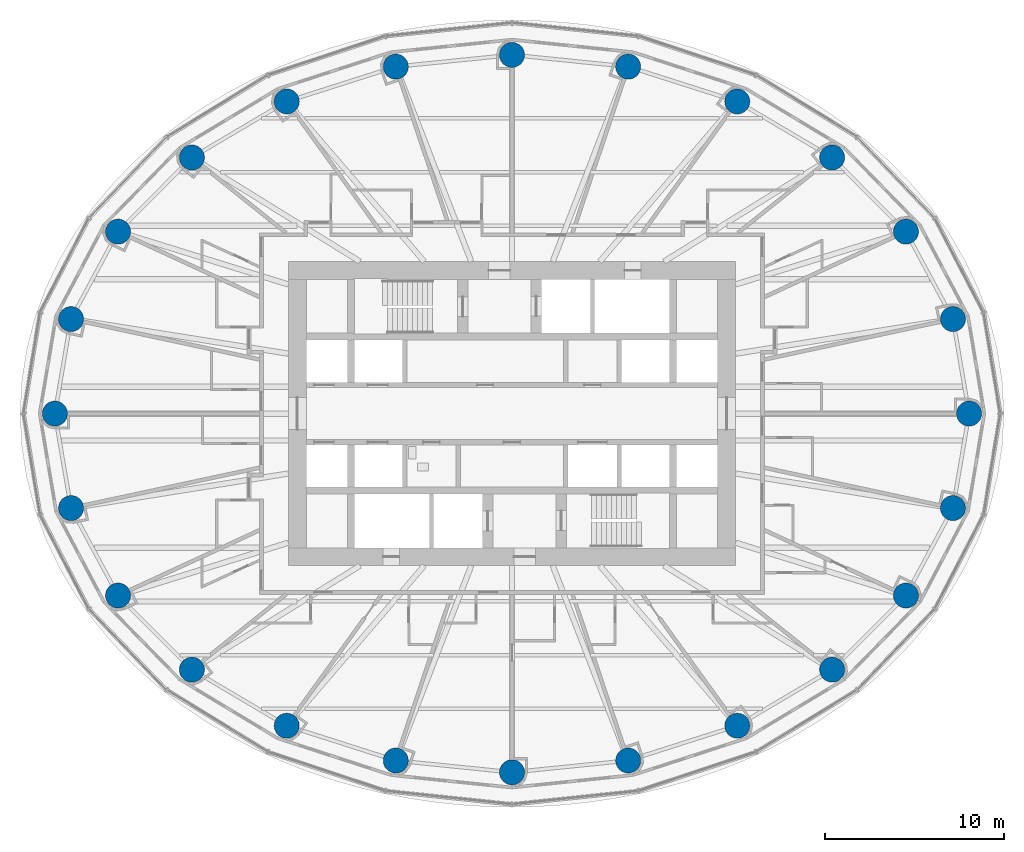
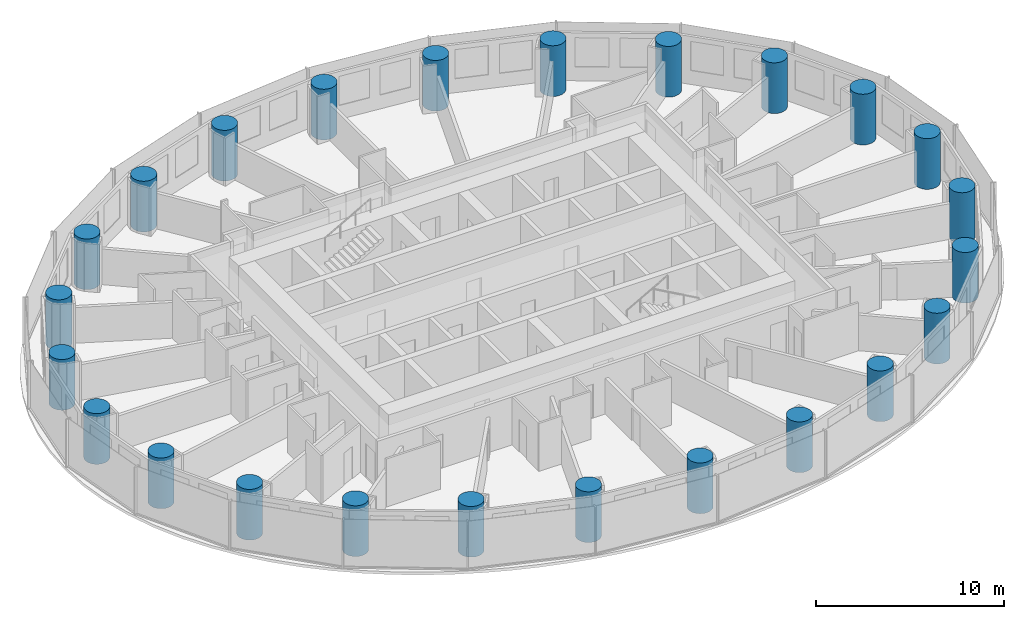
# One storey, part 1 of 16: 24 columns.
"""IFC4 building model written with IfcOpenShell, lengths in metres."""

from ifc_helpers import new_model, si_unit, direction, frame, origin, origin_2d, place, context, subcontext, project, spatial, circle, extrude, material, material_profile, profile_set, type_object, element, save


model = new_model("IFC4")

# Units and contexts
model_context = context("Model", 3, precision=1e-05, world=origin(), true_north=direction((0.0, 1.0)))
body_context = subcontext(model_context, "Body", "Model", "MODEL_VIEW")
ifc_project = project(units=[si_unit("LENGTHUNIT", "METRE"), si_unit("AREAUNIT", "SQUARE_METRE"), si_unit("VOLUMEUNIT", "CUBIC_METRE"), si_unit("PLANEANGLEUNIT", "RADIAN"), si_unit("MASSUNIT", "GRAM", prefix="KILO")], contexts=[model_context])

# Site, building, storey
site_placement = place(None, origin())
site = spatial("IfcSite", under=ifc_project, at=site_placement, CompositionType="ELEMENT")
building_placement = place(site_placement, origin())
building = spatial("IfcBuilding", under=site, at=building_placement, Name="Hankou Lantern Tower", CompositionType="ELEMENT")
storey_placement = place(building_placement, frame((0.0, 0.0, 73.800048828125)))
storey = spatial("IfcBuildingStorey", under=building, at=storey_placement, Name="L18", CompositionType="ELEMENT", Elevation=73.800048828125)

# Columns
ifc_material = material(Name="Concrete C60", Category="concrete")
ifc_material_profile = material_profile(ifc_material, circle(Radius=0.699951171875, at=origin_2d()), Name="RC D1400")
ifc_profile_set = profile_set([ifc_material_profile], Name="Concrete C60")
column_type = type_object("IfcColumnType", Name="TC2 PERIMETER COLUMN RC D1400", PredefinedType="COLUMN", material=ifc_profile_set)
for number, where, z_axis, x_axis, name in (
    (1, (25.550048828125, 0.0, 0.0), (0.0, 0.0, 1.0), (1.0, 0.0, 0.0), "Column R01 L18"),
    (2, (24.64697265625, 5.283203125, 0.0), (0.0, 0.0, 1.0), (1.0, 0.0, 0.0), "Column R02 L18"),
    (3, (22.01904296875, 10.170166015625, 0.0), (0.0, 0.0, 1.0), (1.0, 0.0, 0.0), "Column R03 L18"),
    (4, (17.891845703125, 14.3134765625, 0.0), (0.0, 0.0, 1.0), (1.0, 0.0, 0.0), "Column R04 L18"),
    (5, (12.5908203125, 17.446533203125, 0.0), (0.0, 0.0, 1.0), (1.0, 0.0, 0.0), "Column R05 L18"),
    (6, (6.494873046875, 19.391357421875, 0.0), (0.0, 0.0, 1.0), (1.0, 0.0, 0.0), "Column R06 L18"),
    (7, (0.0, 20.050048828125, 0.0), (0.0, 0.0, 1.0), (1.0, 0.0, 0.0), "Column R07 L18"),
    (8, (-6.494873046875, 19.391357421875, 0.0), (0.0, 0.0, 1.0), (1.0, 0.0, 0.0), "Column R08 L18"),
    (9, (-12.5908203125, 17.446533203125, 0.0), (0.0, 0.0, 1.0), (1.0, 0.0, 0.0), "Column R09 L18"),
    (10, (-17.891845703125, 14.3134765625, 0.0), (0.0, 0.0, 1.0), (1.0, 0.0, 0.0), "Column R10 L18"),
    (11, (-22.01904296875, 10.170166015625, 0.0), (0.0, 0.0, 1.0), (1.0, 0.0, 0.0), "Column R11 L18"),
    (12, (-24.64697265625, 5.283203125, 0.0), (0.0, 0.0, 1.0), (1.0, 0.0, 0.0), "Column R12 L18"),
    (13, (-25.550048828125, 0.0, 0.0), (0.0, 0.0, 1.0), (1.0, 0.0, 0.0), "Column R13 L18"),
    (14, (-24.64697265625, -5.283203125, 0.0), (0.0, 0.0, 1.0), (1.0, 0.0, 0.0), "Column R14 L18"),
    (15, (-22.01904296875, -10.170166015625, 0.0), (0.0, 0.0, 1.0), (1.0, 0.0, 0.0), "Column R15 L18"),
    (16, (-17.891845703125, -14.3134765625, 0.0), (0.0, 0.0, 1.0), (1.0, 0.0, 0.0), "Column R16 L18"),
    (17, (-12.5908203125, -17.446533203125, 0.0), (0.0, 0.0, 1.0), (1.0, 0.0, 0.0), "Column R17 L18"),
    (18, (-6.494873046875, -19.391357421875, 0.0), (0.0, 0.0, 1.0), (1.0, 0.0, 0.0), "Column R18 L18"),
    (19, (0.0, -20.050048828125, 0.0), (0.0, 0.0, 1.0), (1.0, 0.0, 0.0), "Column R19 L18"),
    (20, (6.494873046875, -19.391357421875, 0.0), (0.0, 0.0, 1.0), (1.0, 0.0, 0.0), "Column R20 L18"),
    (21, (12.5908203125, -17.446533203125, 0.0), (0.0, 0.0, 1.0), (1.0, 0.0, 0.0), "Column R21 L18"),
    (22, (17.891845703125, -14.3134765625, 0.0), (0.0, 0.0, 1.0), (1.0, 0.0, 0.0), "Column R22 L18"),
    (23, (22.01904296875, -10.170166015625, 0.0), (0.0, 0.0, 1.0), (1.0, 0.0, 0.0), "Column R23 L18"),
    (24, (24.64697265625, -5.283203125, 0.0), (0.0, 0.0, 1.0), (1.0, 0.0, 0.0), "Column R24 L18"),
):
    element("IfcColumn", number, at=place(storey_placement, frame(where, z_axis=z_axis, x_axis=x_axis)), inside=storey, type_object=column_type, Name=name, PredefinedType="COLUMN", context=body_context, shape_type="SweptSolid", body=[
        extrude(circle(Radius=0.699951171875, at=origin_2d()), origin(), (0.0, 0.0, 1.0), 3.300048828125),
    ])

save(model, "model.ifc")
